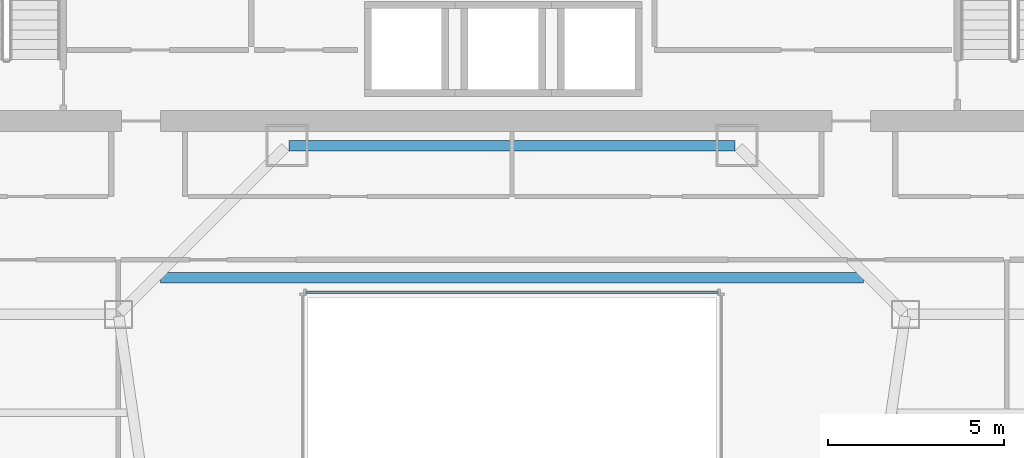
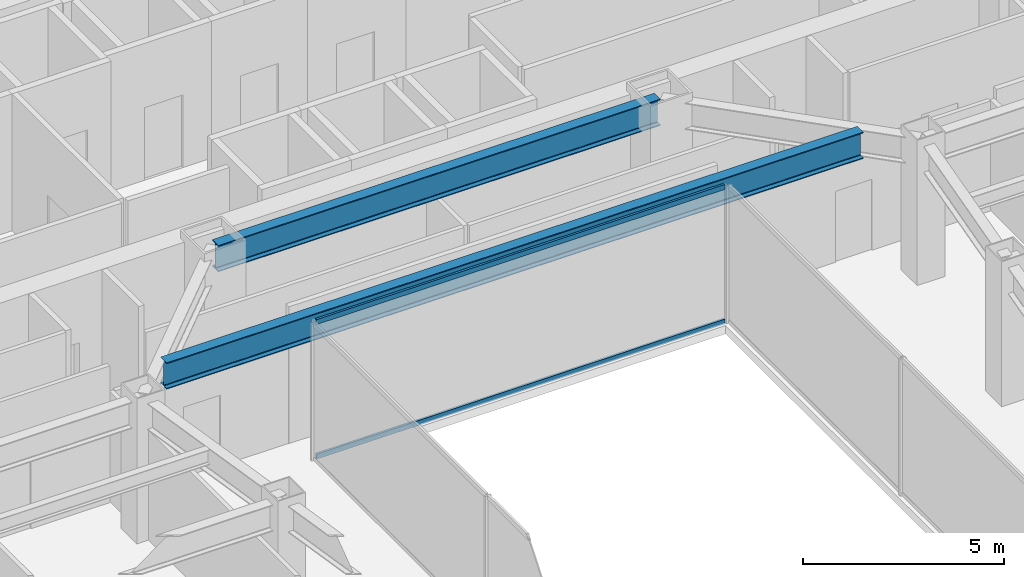
# One storey, part 25 of 47: 2 beams, 2 members, 1 element without a shape of its own.
"""IFC4 building model written with IfcOpenShell, lengths in metres."""

from ifc_helpers import new_model, si_unit, direction, frame, origin, origin_2d, place, context, subcontext, project, spatial, hollow_rectangle, i_section, extrude, material, material_profile, profile_set, type_object, element, aggregate, save


model = new_model("IFC4")

# Units and contexts
model_context = context("Model", 3, precision=1e-05, world=origin(), true_north=direction((0.0, 1.0)))
body_context = subcontext(model_context, "Body", "Model", "MODEL_VIEW")
ifc_project = project(units=[si_unit("LENGTHUNIT", "METRE"), si_unit("AREAUNIT", "SQUARE_METRE"), si_unit("VOLUMEUNIT", "CUBIC_METRE"), si_unit("PLANEANGLEUNIT", "RADIAN"), si_unit("MASSUNIT", "GRAM", prefix="KILO")], contexts=[model_context])

# Site, building, storey
site_placement = place(None, origin())
site = spatial("IfcSite", under=ifc_project, at=site_placement, CompositionType="ELEMENT")
building_placement = place(site_placement, origin())
building = spatial("IfcBuilding", under=site, at=building_placement, Name="Saevonmaru Cultural Tower", CompositionType="ELEMENT")
storey_placement = place(building_placement, frame((0.0, 0.0, 42.800048828125)))
storey = spatial("IfcBuildingStorey", under=building, at=storey_placement, Name="L08", CompositionType="ELEMENT", Elevation=42.800048828125)

# Beams
ifc_material_1 = material(Name="Steel SM420", Category="steel")
ifc_material_profile_1 = material_profile(ifc_material_1, i_section(OverallWidth=0.300048828125, OverallDepth=0.800048828125, WebThickness=0.013916015625, FlangeThickness=0.02587890625, FilletRadius=0.028076171875, at=origin_2d()), Name="H-800x300x14x26")
ifc_profile_set_1 = profile_set([ifc_material_profile_1], Name="Steel SM420")
beam_type = type_object("IfcBeamType", Name="BM-G-H800", PredefinedType="BEAM", material=ifc_profile_set_1)
beam_1_placement = place(storey_placement, frame((23.659912109375, 42.39990234375, 3.75), z_axis=(1.0, 0.0, 0.0), x_axis=(0.0, 1.0, 0.0)))
element("IfcBeam", 1, at=beam_1_placement, inside=storey, type_object=beam_type, Name="L08 Core South Girder 3", PredefinedType="BEAM", context=body_context, shape_type="SweptSolid", body=[
    extrude(i_section(OverallWidth=0.300048828125, OverallDepth=0.800048828125, WebThickness=0.013916015625, FlangeThickness=0.02587890625, FilletRadius=0.028076171875, at=origin_2d()), origin(), (0.0, 0.0, 1.0), 12.68017578125),
])
beam_2_placement = place(storey_placement, frame((20.00439453125, 38.639892578125, 3.75), z_axis=(1.0, 0.0, 0.0), x_axis=(0.0, 1.0, 0.0)))
element("IfcBeam", 2, at=beam_2_placement, inside=storey, type_object=beam_type, Name="L08 Central Link Girder", PredefinedType="BEAM", context=body_context, shape_type="SweptSolid", body=[
    extrude(i_section(OverallWidth=0.300048828125, OverallDepth=0.800048828125, WebThickness=0.013916015625, FlangeThickness=0.02587890625, FilletRadius=0.028076171875, at=origin_2d()), origin(), (0.0, 0.0, 1.0), 19.9912109375),
])

# Curtain wall, members
ifc_material_2 = material(Name="Satin Bronze Anodised Aluminium", Category="aluminium")
curtain_wall_type = type_object("IfcCurtainWallType", Name="CW-ATR-GLZ", PredefinedType="NOTDEFINED", material=ifc_material_2)
curtain_wall_placement = place(storey_placement, origin())
curtain_wall = element("IfcCurtainWall", 3, at=curtain_wall_placement, inside=storey, type_object=curtain_wall_type, Name="L08 Vertical Atrium Glazed Smoke Screen 3", PredefinedType="NOTDEFINED")
ifc_material_profile_2 = material_profile(ifc_material_2, hollow_rectangle(XDim=0.06494140625, YDim=0.14990234375, WallThickness=0.00390625, at=origin_2d()), Name="ALU-TRAN-150x65x4")
ifc_profile_set_2 = profile_set([ifc_material_profile_2], Name="Satin Bronze Anodised Aluminium")
member_type = type_object("IfcMemberType", Name="TR-CW-INT-150x65", PredefinedType="USERDEFINED", material=ifc_profile_set_2)
member_1_placement = place(storey_placement, frame((35.857421875, 38.22998046875, 0.032470703125), z_axis=(-1.0, 0.0, 0.0), x_axis=(0.0, -1.0, 0.0)))
member_1 = element("IfcMember", 4, at=member_1_placement, type_object=member_type, Name="CW-ATR-L08-3 transom 1.1", ObjectType="TRANSOM", PredefinedType="USERDEFINED", context=body_context, shape_type="SweptSolid", body=[
    extrude(hollow_rectangle(XDim=0.06494140625, YDim=0.14990234375, WallThickness=0.00390625, at=origin_2d()), origin(), (0.0, 0.0, 1.0), 11.71484375),
])
member_2_placement = place(storey_placement, frame((35.857421875, 38.22998046875, 4.117431640625), z_axis=(-1.0, 0.0, 0.0), x_axis=(0.0, -1.0, 0.0)))
member_2 = element("IfcMember", 5, at=member_2_placement, type_object=member_type, Name="CW-ATR-L08-3 transom 1.2", ObjectType="TRANSOM", PredefinedType="USERDEFINED", context=body_context, shape_type="SweptSolid", body=[
    extrude(hollow_rectangle(XDim=0.06494140625, YDim=0.14990234375, WallThickness=0.00390625, at=origin_2d()), origin(), (0.0, 0.0, 1.0), 11.71484375),
])
aggregate(curtain_wall, [member_1, member_2])

save(model, "model.ifc")
